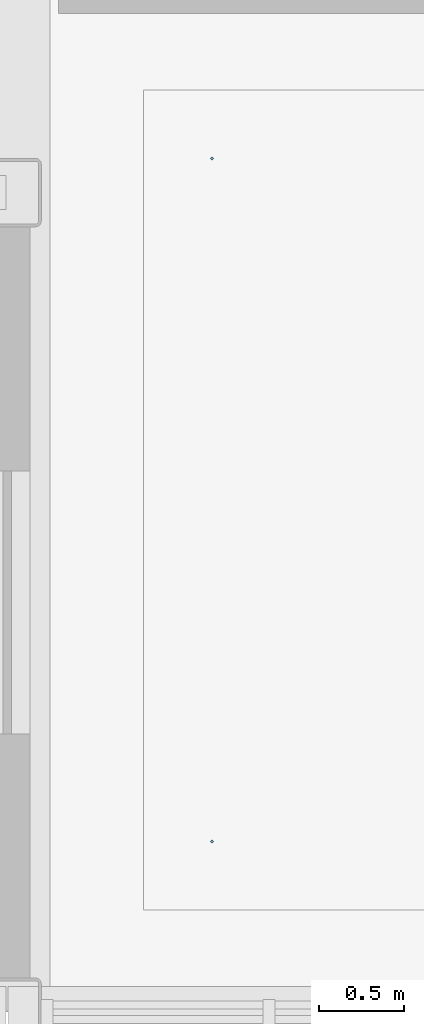
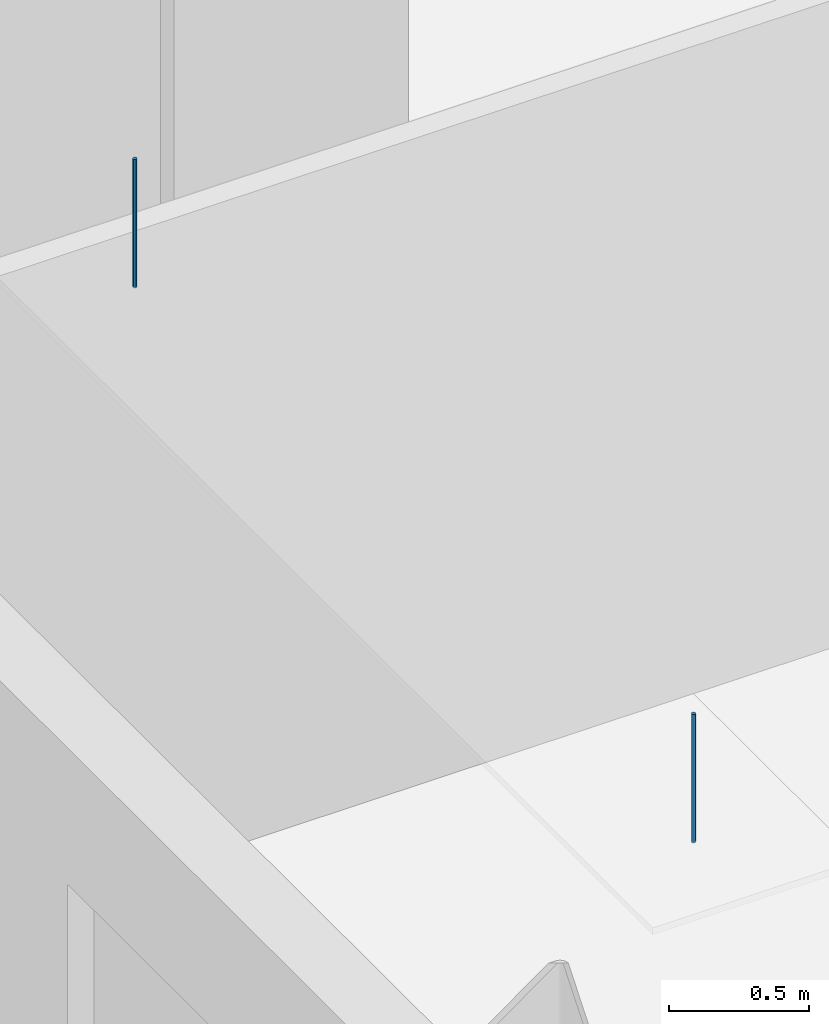
# One storey, part 14 of 17: 2 discrete accessories.
"""IFC4 building model written with IfcOpenShell, lengths in metres."""

from ifc_helpers import new_model, si_unit, direction, frame, origin, origin_2d, place, context, subcontext, project, spatial, circle, extrude, material, type_object, element, save


model = new_model("IFC4")

# Units and contexts
model_context = context("Model", 3, precision=1e-05, world=origin(), true_north=direction((0.0, 1.0)))
body_context = subcontext(model_context, "Body", "Model", "MODEL_VIEW")
ifc_project = project(units=[si_unit("LENGTHUNIT", "METRE"), si_unit("AREAUNIT", "SQUARE_METRE"), si_unit("VOLUMEUNIT", "CUBIC_METRE"), si_unit("PLANEANGLEUNIT", "RADIAN"), si_unit("MASSUNIT", "GRAM", prefix="KILO")], contexts=[model_context])

# Site, building, storey
site_placement = place(None, origin())
site = spatial("IfcSite", under=ifc_project, at=site_placement, CompositionType="ELEMENT")
building_placement = place(site_placement, origin())
building = spatial("IfcBuilding", under=site, at=building_placement, Name="Yukiwa Park Conservatory and Herbarium", CompositionType="ELEMENT")
storey_placement = place(building_placement, frame((0.0, 0.0, 57.60009765625)))
storey = spatial("IfcBuildingStorey", under=building, at=storey_placement, Name="L15", CompositionType="ELEMENT", Elevation=57.60009765625)

# Discrete accessories
ifc_material = material(Name="Steel Q235B", Category="steel")
discrete_accessory_type = type_object("IfcDiscreteAccessoryType", Name="ACC-CEILING-HANGER", PredefinedType="BRACKET", material=ifc_material)
for number, where, z_axis, x_axis, name in (
    (1, (142.800048828125, 87.39990234375, 3.27490234375), (0.0, 0.0, 1.0), (1.0, 0.0, 0.0), "Ceiling suspension hanger rod 29"),
    (2, (142.800048828125, 91.39990234375, 3.27490234375), (0.0, 0.0, 1.0), (1.0, 0.0, 0.0), "Ceiling suspension hanger rod 32"),
):
    element("IfcDiscreteAccessory", number, at=place(storey_placement, frame(where, z_axis=z_axis, x_axis=x_axis)), inside=storey, type_object=discrete_accessory_type, Name=name, PredefinedType="BRACKET", context=body_context, shape_type="SweptSolid", body=[
        extrude(circle(Radius=0.008056640625, at=origin_2d()), origin(), (0.0, 0.0, 1.0), 0.56005859375),
    ])

save(model, "model.ifc")
